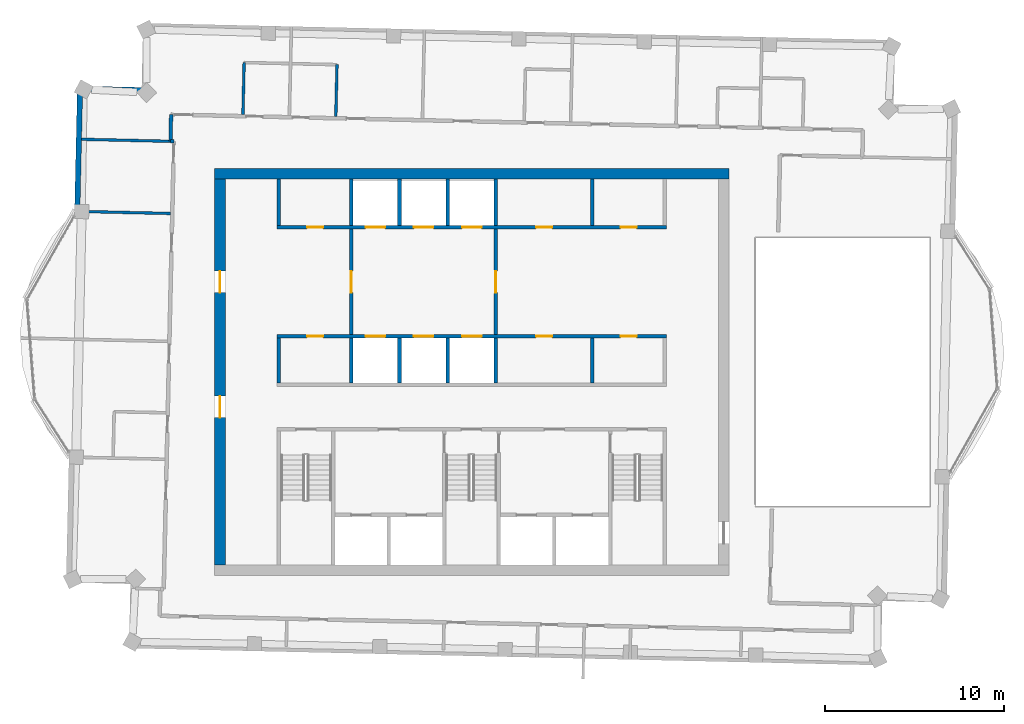
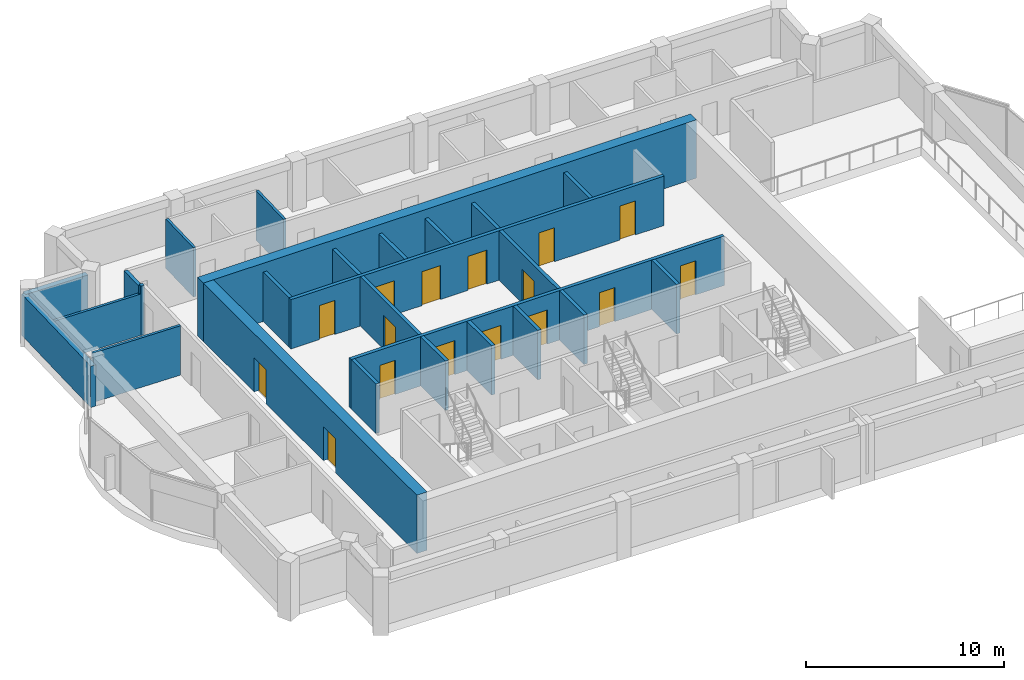
# One storey, part 8 of 12: 26 walls, 16 doors, 16 openings.
"""IFC4 building model written with IfcOpenShell, lengths in metres."""

import ifcopenshell
import ifcopenshell.guid

model = None  # the IFC model being written
_history = None  # IfcOwnerHistory: only IFC2X3 demands one
_inside = {}  # id of a spatial element -> (the spatial element, [elements in it])
_under = {}  # id of a project, library or spatial element -> (it, [spatial elements below it])
_declared = {}  # id of a project -> (the project, [libraries it declares])
_typed = {}  # id of a type object -> (the type object, [elements of that type])
_made_of = {}  # id of a material, layer set ... -> (it, [elements and type objects made of it])


def new_model(schema):
    """Start an empty IFC model of exactly this schema.

    Asked for "IFC4X3", IfcOpenShell would pick the latest addendum, in which some entities
    have other attributes; the version numbers below select the first issue.
    IFC2X3 requires an IfcOwnerHistory on every rooted entity: one is made here for all.
    """
    global model, _history
    if schema == "IFC4X3":
        model = ifcopenshell.file(schema_version=(4, 3, 0, 0))
    else:
        model = ifcopenshell.file(schema=schema)
    _inside.clear()
    _under.clear()
    _declared.clear()
    _typed.clear()
    _made_of.clear()
    _history = None
    if model.schema == "IFC2X3":
        org = make("IfcOrganization", Name="unknown")
        user = make(
            "IfcPersonAndOrganization",
            ThePerson=make("IfcPerson", FamilyName="unknown"),
            TheOrganization=org,
        )
        app = make(
            "IfcApplication",
            ApplicationDeveloper=org,
            Version="unknown",
            ApplicationFullName="unknown",
            ApplicationIdentifier="unknown",
        )
        _history = make(
            "IfcOwnerHistory",
            OwningUser=user,
            OwningApplication=app,
            ChangeAction="ADDED",
            CreationDate=0,
        )
    return model


def make(cls, **values):
    """One entity of the class cls with the attributes given. An attribute that is None is left unset."""
    return model.create_entity(
        cls, **{name: value for name, value in values.items() if value is not None}
    )


def rooted(cls, **values):
    """An entity with a GlobalId (a new one), such as an element, a storey or a relation."""
    return make(cls, GlobalId=ifcopenshell.guid.new(), OwnerHistory=_history, **values)


def si_unit(unit_type, name, prefix=None):
    """IfcSIUnit, for example si_unit("LENGTHUNIT", "METRE", prefix="MILLI")."""
    return make("IfcSIUnit", UnitType=unit_type, Prefix=prefix, Name=name)


def assignment(units):
    """IfcUnitAssignment: the units of a project."""
    return None if units is None else make("IfcUnitAssignment", Units=units)


def point(xyz):
    """IfcCartesianPoint."""
    return None if xyz is None else make("IfcCartesianPoint", Coordinates=xyz)


def direction(xyz):
    """IfcDirection."""
    return None if xyz is None else make("IfcDirection", DirectionRatios=xyz)


def frame(location, z_axis=None, x_axis=None):
    """IfcAxis2Placement3D, a coordinate frame: its origin and axes. An axis left out is left unset."""
    return make(
        "IfcAxis2Placement3D",
        Location=point(location),
        Axis=direction(z_axis),
        RefDirection=direction(x_axis),
    )


def frame_2d(location, x_axis=None):
    """IfcAxis2Placement2D, a coordinate frame in the plane: its origin and x axis."""
    return make(
        "IfcAxis2Placement2D", Location=point(location), RefDirection=direction(x_axis)
    )


def origin():
    """The frame at (0, 0, 0) with its axes left unset."""
    return frame((0.0, 0.0, 0.0))


def place(relative_to, where):
    """IfcLocalPlacement: puts the frame where relative to a parent placement (None: the world)."""
    return make(
        "IfcLocalPlacement", PlacementRelTo=relative_to, RelativePlacement=where
    )


def context(
    kind, dimensions, precision=None, world=None, true_north=None, identifier=None
):
    """IfcGeometricRepresentationContext, for example the 3D "Model" context."""
    return make(
        "IfcGeometricRepresentationContext",
        ContextIdentifier=identifier,
        ContextType=kind,
        CoordinateSpaceDimension=dimensions,
        Precision=precision,
        WorldCoordinateSystem=world,
        TrueNorth=true_north,
    )


def subcontext(parent, identifier, kind, view, scale=None):
    """IfcGeometricRepresentationSubContext, for example "Body" below "Model"."""
    return make(
        "IfcGeometricRepresentationSubContext",
        ContextIdentifier=identifier,
        ContextType=kind,
        ParentContext=parent,
        TargetScale=scale,
        TargetView=view,
    )


def project(units=None, contexts=None):
    """IfcProject with its units and contexts."""
    return rooted(
        "IfcProject",
        Name="project",
        RepresentationContexts=contexts,
        UnitsInContext=assignment(units),
    )


def spatial(cls, under=None, at=None, **own):
    """A site, building, storey or space (cls), placed at a placement, below another one or the project."""
    s = rooted(cls, ObjectPlacement=at, **own)
    if under is not None:
        _under.setdefault(under.id(), (under, []))[1].append(s)
    return s


def profile(cls, at=None, kind="AREA", **sizes):
    """A parametric profile (cls). Its sizes go by their IFC names, for example OverallWidth=200.0."""
    return make(cls, ProfileType=kind, Position=at, **sizes)


def rectangle(**sizes):
    """IfcRectangleProfileDef."""
    return profile("IfcRectangleProfileDef", **sizes)


def extrude(swept, where, along, depth):
    """IfcExtrudedAreaSolid: the profile swept, set in the frame where, extruded along a direction by depth."""
    return make(
        "IfcExtrudedAreaSolid",
        SweptArea=swept,
        Position=where,
        ExtrudedDirection=direction(along),
        Depth=depth,
    )


def shape(context_of_items, identifier, shape_type, items):
    """IfcShapeRepresentation: the items that make up one representation, for example the "Body"."""
    return make(
        "IfcShapeRepresentation",
        ContextOfItems=context_of_items,
        RepresentationIdentifier=identifier,
        RepresentationType=shape_type,
        Items=items,
    )


def material(Name=None, Category=None):
    """IfcMaterial."""
    return make("IfcMaterial", Name=Name, Category=Category)


def layer(
    of_material, thickness, ventilated=None, Name=None, Category=None, Priority=None
):
    """IfcMaterialLayer: one layer of a wall or slab, of a material (None: an air gap)."""
    return make(
        "IfcMaterialLayer",
        Material=of_material,
        LayerThickness=thickness,
        IsVentilated=ventilated,
        Name=Name,
        Category=Category,
        Priority=Priority,
    )


def layer_set(layers, Name=None):
    """IfcMaterialLayerSet."""
    return make("IfcMaterialLayerSet", MaterialLayers=layers, LayerSetName=Name)


def made_of(thing, what):
    """Note that an element or type object is made of a material, layer set ...; save() writes the relation."""
    if what is not None:
        _made_of.setdefault(what.id(), (what, []))[1].append(thing)
    return thing


def type_object(cls, material=None, **own):
    """A type object (cls), such as IfcWallType, which elements share."""
    return made_of(rooted(cls, **own), material)


def element(
    cls,
    number,
    at=None,
    inside=None,
    cuts=None,
    type_object=None,
    material=None,
    context=None,
    identifier="Body",
    shape_type=None,
    held_by="IfcProductDefinitionShape",
    body=None,
    shapes=None,
    **own,
):
    """One element of the class cls, such as IfcWall. Its Tag is "e" and its number.

    at: its placement. inside: the storey or other place that contains it. cuts: it is an
    opening in that element (IfcRelVoidsElement). A single representation is given by context,
    identifier, shape_type and body (its items); several are given by shapes. held_by: the class
    of the entity that holds the representations. save() writes the other relations.
    """
    e = rooted(cls, Tag="e%d" % number, ObjectPlacement=at, **own)
    if body is not None:
        shapes = [shape(context, identifier, shape_type, body)]
    if shapes is not None:
        e.Representation = make(held_by, Representations=shapes)
    if inside is not None:
        _inside.setdefault(inside.id(), (inside, []))[1].append(e)
    if cuts is not None:
        rooted(
            "IfcRelVoidsElement", RelatingBuildingElement=cuts, RelatedOpeningElement=e
        )
    if type_object is not None:
        _typed.setdefault(type_object.id(), (type_object, []))[1].append(e)
    return made_of(e, material)


def fill(opening, filler):
    """IfcRelFillsElement: the door or window that sits in an opening."""
    return rooted(
        "IfcRelFillsElement",
        RelatingOpeningElement=opening,
        RelatedBuildingElement=filler,
    )


def aggregate(whole, parts):
    """IfcRelAggregates: a whole, such as a stair, and the parts it consists of."""
    return rooted("IfcRelAggregates", RelatingObject=whole, RelatedObjects=parts)


def save(model, path):
    """Write the relations noted so far, then the file.

    IfcRelAggregates (storeys below a building ...), IfcRelContainedInSpatialStructure (elements
    in a storey), IfcRelDefinesByType, IfcRelAssociatesMaterial and IfcRelDeclares: one each for
    every whole, place, type object, material and project.
    """
    for whole, parts in _under.values():
        aggregate(whole, parts)
    for where, things in _inside.values():
        rooted(
            "IfcRelContainedInSpatialStructure",
            RelatedElements=things,
            RelatingStructure=where,
        )
    for kind, things in _typed.values():
        rooted("IfcRelDefinesByType", RelatedObjects=things, RelatingType=kind)
    for what, things in _made_of.values():
        rooted("IfcRelAssociatesMaterial", RelatedObjects=things, RelatingMaterial=what)
    for by, libraries in _declared.values():
        rooted("IfcRelDeclares", RelatingContext=by, RelatedDefinitions=libraries)
    model.write(path)


model = new_model("IFC4")

# Units and contexts
model_context = context("Model", 3, precision=1e-05, world=origin(), true_north=direction((0.0, 1.0)))
body_context = subcontext(model_context, "Body", "Model", "MODEL_VIEW")
ifc_project = project(units=[si_unit("LENGTHUNIT", "METRE"), si_unit("AREAUNIT", "SQUARE_METRE"), si_unit("VOLUMEUNIT", "CUBIC_METRE"), si_unit("PLANEANGLEUNIT", "RADIAN"), si_unit("MASSUNIT", "GRAM", prefix="KILO")], contexts=[model_context])

# Site, building, storey
site_placement = place(None, origin())
site = spatial("IfcSite", under=ifc_project, at=site_placement, CompositionType="ELEMENT")
building_placement = place(site_placement, origin())
building = spatial("IfcBuilding", under=site, at=building_placement, Name="Mangrove Gate Tower", CompositionType="ELEMENT")
storey_placement = place(building_placement, frame((0.0, 0.0, 350.699951171875)))
storey = spatial("IfcBuildingStorey", under=building, at=storey_placement, Name="L89", CompositionType="ELEMENT", Elevation=350.699951171875)

# Wall, opening, door
ifc_material_1 = material(Name="Concrete C32/40", Category="concrete")
ifc_layer_1 = layer(ifc_material_1, 0.199951171875)
ifc_layer_set_1 = layer_set([ifc_layer_1], Name="Core lobby wall 200 C32/40")
wall_type_1 = type_object("IfcWallType", Name="Core lobby wall 200 C32/40", PredefinedType="STANDARD", material=ifc_layer_set_1)
wall_1_placement = place(storey_placement, frame((-6.75, 2.10009765625, 0.0), z_axis=(0.0, 0.0, 1.0), x_axis=(0.0, 1.0, 0.0)))
wall_1 = element("IfcWall", 1, at=wall_1_placement, inside=storey, type_object=wall_type_1, Name="WALL-L89-CORE-33", PredefinedType="STANDARD", context=body_context, shape_type="SweptSolid", body=[
    extrude(rectangle(XDim=5.89990234375, YDim=0.199951171875, at=frame_2d((2.949951171875, 0.0))), origin(), (0.0, 0.0, 1.0), 3.050048828125),
])
opening_1_placement = place(wall_1_placement, frame((2.35009765625, 0.0, 0.0)))
opening_1 = element("IfcOpeningElement", 2, at=opening_1_placement, cuts=wall_1, Name="Opening FL12", PredefinedType="OPENING", context=body_context, shape_type="SweptSolid", body=[
    extrude(rectangle(XDim=1.199951171875, YDim=2.10009765625, at=frame_2d((0.60009765625, 1.050048828125))), frame((0.0, 0.10986328125, 0.0), z_axis=(0.0, -1.0, 0.0), x_axis=(1.0, 0.0, 0.0)), (0.0, 0.0, 1.0), 0.219970703125),
])
ifc_material_2 = material(Name="Fire-rated steel door set", Category="steel")
door_type_1 = type_object("IfcDoorType", Name="Lobby door FD60 1200x2100", OperationType="SINGLE_SWING_LEFT", PredefinedType="DOOR", material=ifc_material_2)
door_1_placement = place(opening_1_placement, origin())
door_1 = element("IfcDoor", 3, at=door_1_placement, inside=storey, type_object=door_type_1, Name="Lobby door lift lobby partition", OperationType="SINGLE_SWING_LEFT", OverallHeight=2.10009765625, OverallWidth=1.199951171875, PredefinedType="DOOR", context=body_context, shape_type="SweptSolid", body=[
    extrude(rectangle(XDim=1.199951171875, YDim=2.10009765625, at=frame_2d((0.60009765625, 1.050048828125))), frame((0.0, 0.02490234375, 0.0), z_axis=(0.0, -1.0, 0.0), x_axis=(1.0, 0.0, 0.0)), (0.0, 0.0, 1.0), 0.050048828125),
])
fill(opening_1, door_1)

wall_2_placement = place(storey_placement, frame((1.35009765625, 2.10009765625, 0.0), z_axis=(0.0, 0.0, 1.0), x_axis=(0.0, 1.0, 0.0)))
wall_2 = element("IfcWall", 4, at=wall_2_placement, inside=storey, type_object=wall_type_1, Name="WALL-L89-CORE-34", PredefinedType="STANDARD", context=body_context, shape_type="SweptSolid", body=[
    extrude(rectangle(XDim=5.89990234375, YDim=0.199951171875, at=frame_2d((2.949951171875, 0.0))), origin(), (0.0, 0.0, 1.0), 3.050048828125),
])
opening_2_placement = place(wall_2_placement, frame((2.35009765625, 0.0, 0.0)))
opening_2 = element("IfcOpeningElement", 5, at=opening_2_placement, cuts=wall_2, Name="Opening FL12", PredefinedType="OPENING", context=body_context, shape_type="SweptSolid", body=[
    extrude(rectangle(XDim=1.199951171875, YDim=2.10009765625, at=frame_2d((0.60009765625, 1.050048828125))), frame((0.0, 0.10986328125, 0.0), z_axis=(0.0, -1.0, 0.0), x_axis=(1.0, 0.0, 0.0)), (0.0, 0.0, 1.0), 0.219970703125),
])
door_2_placement = place(opening_2_placement, origin())
door_2 = element("IfcDoor", 6, at=door_2_placement, inside=storey, type_object=door_type_1, Name="Lobby door lift lobby partition", OperationType="SINGLE_SWING_LEFT", OverallHeight=2.10009765625, OverallWidth=1.199951171875, PredefinedType="DOOR", context=body_context, shape_type="SweptSolid", body=[
    extrude(rectangle(XDim=1.199951171875, YDim=2.10009765625, at=frame_2d((0.60009765625, 1.050048828125))), frame((0.0, 0.02490234375, 0.0), z_axis=(0.0, -1.0, 0.0), x_axis=(1.0, 0.0, 0.0)), (0.0, 0.0, 1.0), 0.050048828125),
])
fill(opening_2, door_2)

# Walls
ifc_material_3 = material(Name="Concrete C32/40", Category="concrete")
ifc_layer_2 = layer(ifc_material_3, 0.199951171875)
ifc_layer_set_2 = layer_set([ifc_layer_2], Name="Core room wall 200 C32/40")
wall_type_2 = type_object("IfcWallType", Name="Core room wall 200 C32/40", PredefinedType="STANDARD", material=ifc_layer_set_2)
for number, where, z_axis, x_axis, name in (
    (7, (-10.800048828125, -0.60009765625, 0.0), (0.0, 0.0, 1.0), (0.0, 1.0, 0.0), "WALL-L89-CORE-19"),
    (8, (6.75, -0.60009765625, 0.0), (0.0, 0.0, 1.0), (0.0, 1.0, 0.0), "WALL-L89-CORE-24"),
):
    element("IfcWall", number, at=place(storey_placement, frame(where, z_axis=z_axis, x_axis=x_axis)), inside=storey, type_object=wall_type_2, Name=name, PredefinedType="STANDARD", context=body_context, shape_type="SweptSolid", body=[
        extrude(rectangle(XDim=2.5, YDim=0.199951171875, at=frame_2d((1.25, 0.0))), origin(), (0.0, 0.0, 1.0), 3.050048828125),
    ])
for number, where, z_axis, x_axis, name in (
    (9, (-10.800048828125, 8.199951171875, 0.0), (0.0, 0.0, 1.0), (0.0, 1.0, 0.0), "WALL-L89-CORE-26"),
    (10, (6.75, 8.199951171875, 0.0), (0.0, 0.0, 1.0), (0.0, 1.0, 0.0), "WALL-L89-CORE-31"),
):
    element("IfcWall", number, at=place(storey_placement, frame(where, z_axis=z_axis, x_axis=x_axis)), inside=storey, type_object=wall_type_2, Name=name, PredefinedType="STANDARD", context=body_context, shape_type="SweptSolid", body=[
        extrude(rectangle(XDim=2.60009765625, YDim=0.199951171875, at=frame_2d((1.300048828125, 0.0))), origin(), (0.0, 0.0, 1.0), 3.050048828125),
    ])

# Wall, openings, doors
ifc_material_4 = material(Name="Concrete C50/60", Category="concrete")
ifc_layer_3 = layer(ifc_material_4, 0.199951171875)
ifc_layer_set_3 = layer_set([ifc_layer_3], Name="Core shaft wall 200 C50/60")
wall_type_3 = type_object("IfcWallType", Name="Core shaft wall 200 C50/60", PredefinedType="SHEAR", material=ifc_layer_set_3)
wall_3_placement = place(storey_placement, frame((-10.89990234375, 2.0, 0.0), z_axis=(0.0, 0.0, 1.0), x_axis=(1.0, 0.0, 0.0)))
wall_3 = element("IfcWall", 11, at=wall_3_placement, inside=storey, type_object=wall_type_3, Name="WALL-L89-CORE-7", PredefinedType="SHEAR", context=body_context, shape_type="SweptSolid", body=[
    extrude(rectangle(XDim=21.7998046875, YDim=0.199951171875, at=frame_2d((10.89990234375, 0.0))), origin(), (0.0, 0.0, 1.0), 3.050048828125),
])
opening_3_placement = place(wall_3_placement, frame((4.949951171875, 0.0, 0.0)))
opening_3 = element("IfcOpeningElement", 12, at=opening_3_placement, cuts=wall_3, Name="Opening LD", PredefinedType="OPENING", context=body_context, shape_type="SweptSolid", body=[
    extrude(rectangle(XDim=1.10009765625, YDim=2.10009765625, at=frame_2d((0.550048828125, 1.050048828125))), frame((0.0, 0.10986328125, 0.0), z_axis=(0.0, -1.0, 0.0), x_axis=(1.0, 0.0, 0.0)), (0.0, 0.0, 1.0), 0.219970703125),
])
opening_4_placement = place(wall_3_placement, frame((7.64990234375, 0.0, 0.0)))
opening_4 = element("IfcOpeningElement", 13, at=opening_4_placement, cuts=wall_3, Name="Opening LD", PredefinedType="OPENING", context=body_context, shape_type="SweptSolid", body=[
    extrude(rectangle(XDim=1.10009765625, YDim=2.10009765625, at=frame_2d((0.550048828125, 1.050048828125))), frame((0.0, 0.10986328125, 0.0), z_axis=(0.0, -1.0, 0.0), x_axis=(1.0, 0.0, 0.0)), (0.0, 0.0, 1.0), 0.219970703125),
])
opening_5_placement = place(wall_3_placement, frame((10.35009765625, 0.0, 0.0)))
opening_5 = element("IfcOpeningElement", 14, at=opening_5_placement, cuts=wall_3, Name="Opening LD", PredefinedType="OPENING", context=body_context, shape_type="SweptSolid", body=[
    extrude(rectangle(XDim=1.10009765625, YDim=2.10009765625, at=frame_2d((0.550048828125, 1.050048828125))), frame((0.0, 0.10986328125, 0.0), z_axis=(0.0, -1.0, 0.0), x_axis=(1.0, 0.0, 0.0)), (0.0, 0.0, 1.0), 0.219970703125),
])
opening_6_placement = place(wall_3_placement, frame((1.675048828125, 0.0, 0.0)))
opening_6 = element("IfcOpeningElement", 15, at=opening_6_placement, cuts=wall_3, Name="Opening KD", PredefinedType="OPENING", context=body_context, shape_type="SweptSolid", body=[
    extrude(rectangle(XDim=0.89990234375, YDim=2.10009765625, at=frame_2d((0.449951171875, 1.050048828125))), frame((0.0, 0.10986328125, 0.0), z_axis=(0.0, -1.0, 0.0), x_axis=(1.0, 0.0, 0.0)), (0.0, 0.0, 1.0), 0.219970703125),
])
opening_7_placement = place(wall_3_placement, frame((14.5, 0.0, 0.0)))
opening_7 = element("IfcOpeningElement", 16, at=opening_7_placement, cuts=wall_3, Name="Opening KD", PredefinedType="OPENING", context=body_context, shape_type="SweptSolid", body=[
    extrude(rectangle(XDim=0.89990234375, YDim=2.10009765625, at=frame_2d((0.449951171875, 1.050048828125))), frame((0.0, 0.10986328125, 0.0), z_axis=(0.0, -1.0, 0.0), x_axis=(1.0, 0.0, 0.0)), (0.0, 0.0, 1.0), 0.219970703125),
])
opening_8_placement = place(wall_3_placement, frame((19.22509765625, 0.0, 0.0)))
opening_8 = element("IfcOpeningElement", 17, at=opening_8_placement, cuts=wall_3, Name="Opening RD", PredefinedType="OPENING", context=body_context, shape_type="SweptSolid", body=[
    extrude(rectangle(XDim=0.89990234375, YDim=2.10009765625, at=frame_2d((0.449951171875, 1.050048828125))), frame((0.0, 0.10986328125, 0.0), z_axis=(0.0, -1.0, 0.0), x_axis=(1.0, 0.0, 0.0)), (0.0, 0.0, 1.0), 0.219970703125),
])
ifc_material_5 = material(Name="Fire-rated steel door set", Category="steel")
door_type_2 = type_object("IfcDoorType", Name="Core room door FD30S 900x2100", OperationType="SINGLE_SWING_RIGHT", PredefinedType="DOOR", material=ifc_material_5)
door_3_placement = place(opening_6_placement, origin())
door_3 = element("IfcDoor", 18, at=door_3_placement, inside=storey, type_object=door_type_2, Name="Core room door Cleaner's store", OperationType="SINGLE_SWING_RIGHT", OverallHeight=2.10009765625, OverallWidth=0.89990234375, PredefinedType="DOOR", context=body_context, shape_type="SweptSolid", body=[
    extrude(rectangle(XDim=0.89990234375, YDim=2.10009765625, at=frame_2d((0.449951171875, 1.050048828125))), frame((0.0, 0.02490234375, 0.0), z_axis=(0.0, -1.0, 0.0), x_axis=(1.0, 0.0, 0.0)), (0.0, 0.0, 1.0), 0.050048828125),
])
fill(opening_6, door_3)
door_4_placement = place(opening_7_placement, origin())
door_4 = element("IfcDoor", 19, at=door_4_placement, inside=storey, type_object=door_type_2, Name="Core room door Refuse store", OperationType="SINGLE_SWING_RIGHT", OverallHeight=2.10009765625, OverallWidth=0.89990234375, PredefinedType="DOOR", context=body_context, shape_type="SweptSolid", body=[
    extrude(rectangle(XDim=0.89990234375, YDim=2.10009765625, at=frame_2d((0.449951171875, 1.050048828125))), frame((0.0, 0.02490234375, 0.0), z_axis=(0.0, -1.0, 0.0), x_axis=(1.0, 0.0, 0.0)), (0.0, 0.0, 1.0), 0.050048828125),
])
fill(opening_7, door_4)
ifc_material_6 = material(Name="Stainless steel 316", Category="steel")
door_type_3 = type_object("IfcDoorType", Name="Lift landing door 1100x2100", OperationType="SLIDING_TO_LEFT", PredefinedType="DOOR", material=ifc_material_6)
door_5_placement = place(opening_3_placement, origin())
door_5 = element("IfcDoor", 20, at=door_5_placement, inside=storey, type_object=door_type_3, Name="Landing door LD H01", OperationType="SLIDING_TO_LEFT", OverallHeight=2.10009765625, OverallWidth=1.10009765625, PredefinedType="DOOR", context=body_context, shape_type="SweptSolid", body=[
    extrude(rectangle(XDim=1.10009765625, YDim=2.10009765625, at=frame_2d((0.550048828125, 1.050048828125))), frame((0.0, 0.02490234375, 0.0), z_axis=(0.0, -1.0, 0.0), x_axis=(1.0, 0.0, 0.0)), (0.0, 0.0, 1.0), 0.050048828125),
])
fill(opening_3, door_5)
door_6_placement = place(opening_4_placement, origin())
door_6 = element("IfcDoor", 21, at=door_6_placement, inside=storey, type_object=door_type_3, Name="Landing door LD H02", OperationType="SLIDING_TO_LEFT", OverallHeight=2.10009765625, OverallWidth=1.10009765625, PredefinedType="DOOR", context=body_context, shape_type="SweptSolid", body=[
    extrude(rectangle(XDim=1.10009765625, YDim=2.10009765625, at=frame_2d((0.550048828125, 1.050048828125))), frame((0.0, 0.02490234375, 0.0), z_axis=(0.0, -1.0, 0.0), x_axis=(1.0, 0.0, 0.0)), (0.0, 0.0, 1.0), 0.050048828125),
])
fill(opening_4, door_6)
door_7_placement = place(opening_5_placement, origin())
door_7 = element("IfcDoor", 22, at=door_7_placement, inside=storey, type_object=door_type_3, Name="Landing door LD H03", OperationType="SLIDING_TO_LEFT", OverallHeight=2.10009765625, OverallWidth=1.10009765625, PredefinedType="DOOR", context=body_context, shape_type="SweptSolid", body=[
    extrude(rectangle(XDim=1.10009765625, YDim=2.10009765625, at=frame_2d((0.550048828125, 1.050048828125))), frame((0.0, 0.02490234375, 0.0), z_axis=(0.0, -1.0, 0.0), x_axis=(1.0, 0.0, 0.0)), (0.0, 0.0, 1.0), 0.050048828125),
])
fill(opening_5, door_7)
ifc_material_7 = material(Name="Fire-rated steel door set", Category="steel")
door_type_4 = type_object("IfcDoorType", Name="Riser door FD30S 900x2100", OperationType="SINGLE_SWING_LEFT", PredefinedType="DOOR", material=ifc_material_7)
door_8_placement = place(opening_8_placement, origin())
door_8 = element("IfcDoor", 23, at=door_8_placement, inside=storey, type_object=door_type_4, Name="Riser door Electrical room", OperationType="SINGLE_SWING_LEFT", OverallHeight=2.10009765625, OverallWidth=0.89990234375, PredefinedType="DOOR", context=body_context, shape_type="SweptSolid", body=[
    extrude(rectangle(XDim=0.89990234375, YDim=2.10009765625, at=frame_2d((0.449951171875, 1.050048828125))), frame((0.0, 0.02490234375, 0.0), z_axis=(0.0, -1.0, 0.0), x_axis=(1.0, 0.0, 0.0)), (0.0, 0.0, 1.0), 0.050048828125),
])
fill(opening_8, door_8)

wall_4_placement = place(storey_placement, frame((-10.89990234375, 8.10009765625, 0.0), z_axis=(0.0, 0.0, 1.0), x_axis=(1.0, 0.0, 0.0)))
wall_4 = element("IfcWall", 24, at=wall_4_placement, inside=storey, type_object=wall_type_3, Name="WALL-L89-CORE-8", PredefinedType="SHEAR", context=body_context, shape_type="SweptSolid", body=[
    extrude(rectangle(XDim=21.7998046875, YDim=0.199951171875, at=frame_2d((10.89990234375, 0.0))), origin(), (0.0, 0.0, 1.0), 3.050048828125),
])
opening_9_placement = place(wall_4_placement, frame((4.949951171875, 0.0, 0.0)))
opening_9 = element("IfcOpeningElement", 25, at=opening_9_placement, cuts=wall_4, Name="Opening LD", PredefinedType="OPENING", context=body_context, shape_type="SweptSolid", body=[
    extrude(rectangle(XDim=1.10009765625, YDim=2.10009765625, at=frame_2d((0.550048828125, 1.050048828125))), frame((0.0, 0.10986328125, 0.0), z_axis=(0.0, -1.0, 0.0), x_axis=(1.0, 0.0, 0.0)), (0.0, 0.0, 1.0), 0.219970703125),
])
opening_10_placement = place(wall_4_placement, frame((7.64990234375, 0.0, 0.0)))
opening_10 = element("IfcOpeningElement", 26, at=opening_10_placement, cuts=wall_4, Name="Opening LD", PredefinedType="OPENING", context=body_context, shape_type="SweptSolid", body=[
    extrude(rectangle(XDim=1.10009765625, YDim=2.10009765625, at=frame_2d((0.550048828125, 1.050048828125))), frame((0.0, 0.10986328125, 0.0), z_axis=(0.0, -1.0, 0.0), x_axis=(1.0, 0.0, 0.0)), (0.0, 0.0, 1.0), 0.219970703125),
])
opening_11_placement = place(wall_4_placement, frame((10.35009765625, 0.0, 0.0)))
opening_11 = element("IfcOpeningElement", 27, at=opening_11_placement, cuts=wall_4, Name="Opening LD", PredefinedType="OPENING", context=body_context, shape_type="SweptSolid", body=[
    extrude(rectangle(XDim=1.10009765625, YDim=2.10009765625, at=frame_2d((0.550048828125, 1.050048828125))), frame((0.0, 0.10986328125, 0.0), z_axis=(0.0, -1.0, 0.0), x_axis=(1.0, 0.0, 0.0)), (0.0, 0.0, 1.0), 0.219970703125),
])
opening_12_placement = place(wall_4_placement, frame((1.675048828125, 0.0, 0.0)))
opening_12 = element("IfcOpeningElement", 28, at=opening_12_placement, cuts=wall_4, Name="Opening KD", PredefinedType="OPENING", context=body_context, shape_type="SweptSolid", body=[
    extrude(rectangle(XDim=0.89990234375, YDim=2.10009765625, at=frame_2d((0.449951171875, 1.050048828125))), frame((0.0, 0.10986328125, 0.0), z_axis=(0.0, -1.0, 0.0), x_axis=(1.0, 0.0, 0.0)), (0.0, 0.0, 1.0), 0.219970703125),
])
opening_13_placement = place(wall_4_placement, frame((14.5, 0.0, 0.0)))
opening_13 = element("IfcOpeningElement", 29, at=opening_13_placement, cuts=wall_4, Name="Opening RD", PredefinedType="OPENING", context=body_context, shape_type="SweptSolid", body=[
    extrude(rectangle(XDim=0.89990234375, YDim=2.10009765625, at=frame_2d((0.449951171875, 1.050048828125))), frame((0.0, 0.10986328125, 0.0), z_axis=(0.0, -1.0, 0.0), x_axis=(1.0, 0.0, 0.0)), (0.0, 0.0, 1.0), 0.219970703125),
])
opening_14_placement = place(wall_4_placement, frame((19.22509765625, 0.0, 0.0)))
opening_14 = element("IfcOpeningElement", 30, at=opening_14_placement, cuts=wall_4, Name="Opening RD", PredefinedType="OPENING", context=body_context, shape_type="SweptSolid", body=[
    extrude(rectangle(XDim=0.89990234375, YDim=2.10009765625, at=frame_2d((0.449951171875, 1.050048828125))), frame((0.0, 0.10986328125, 0.0), z_axis=(0.0, -1.0, 0.0), x_axis=(1.0, 0.0, 0.0)), (0.0, 0.0, 1.0), 0.219970703125),
])
door_9_placement = place(opening_12_placement, origin())
door_9 = element("IfcDoor", 31, at=door_9_placement, inside=storey, type_object=door_type_2, Name="Core room door Linen store", OperationType="SINGLE_SWING_RIGHT", OverallHeight=2.10009765625, OverallWidth=0.89990234375, PredefinedType="DOOR", context=body_context, shape_type="SweptSolid", body=[
    extrude(rectangle(XDim=0.89990234375, YDim=2.10009765625, at=frame_2d((0.449951171875, 1.050048828125))), frame((0.0, 0.02490234375, 0.0), z_axis=(0.0, -1.0, 0.0), x_axis=(1.0, 0.0, 0.0)), (0.0, 0.0, 1.0), 0.050048828125),
])
fill(opening_12, door_9)
door_10_placement = place(opening_9_placement, origin())
door_10 = element("IfcDoor", 32, at=door_10_placement, inside=storey, type_object=door_type_3, Name="Landing door LD H04", OperationType="SLIDING_TO_LEFT", OverallHeight=2.10009765625, OverallWidth=1.10009765625, PredefinedType="DOOR", context=body_context, shape_type="SweptSolid", body=[
    extrude(rectangle(XDim=1.10009765625, YDim=2.10009765625, at=frame_2d((0.550048828125, 1.050048828125))), frame((0.0, 0.02490234375, 0.0), z_axis=(0.0, -1.0, 0.0), x_axis=(1.0, 0.0, 0.0)), (0.0, 0.0, 1.0), 0.050048828125),
])
fill(opening_9, door_10)
door_11_placement = place(opening_10_placement, origin())
door_11 = element("IfcDoor", 33, at=door_11_placement, inside=storey, type_object=door_type_3, Name="Landing door LD H05", OperationType="SLIDING_TO_LEFT", OverallHeight=2.10009765625, OverallWidth=1.10009765625, PredefinedType="DOOR", context=body_context, shape_type="SweptSolid", body=[
    extrude(rectangle(XDim=1.10009765625, YDim=2.10009765625, at=frame_2d((0.550048828125, 1.050048828125))), frame((0.0, 0.02490234375, 0.0), z_axis=(0.0, -1.0, 0.0), x_axis=(1.0, 0.0, 0.0)), (0.0, 0.0, 1.0), 0.050048828125),
])
fill(opening_10, door_11)
door_12_placement = place(opening_11_placement, origin())
door_12 = element("IfcDoor", 34, at=door_12_placement, inside=storey, type_object=door_type_3, Name="Landing door LD H06", OperationType="SLIDING_TO_LEFT", OverallHeight=2.10009765625, OverallWidth=1.10009765625, PredefinedType="DOOR", context=body_context, shape_type="SweptSolid", body=[
    extrude(rectangle(XDim=1.10009765625, YDim=2.10009765625, at=frame_2d((0.550048828125, 1.050048828125))), frame((0.0, 0.02490234375, 0.0), z_axis=(0.0, -1.0, 0.0), x_axis=(1.0, 0.0, 0.0)), (0.0, 0.0, 1.0), 0.050048828125),
])
fill(opening_11, door_12)
door_13_placement = place(opening_13_placement, origin())
door_13 = element("IfcDoor", 35, at=door_13_placement, inside=storey, type_object=door_type_4, Name="Riser door Switch room", OperationType="SINGLE_SWING_LEFT", OverallHeight=2.10009765625, OverallWidth=0.89990234375, PredefinedType="DOOR", context=body_context, shape_type="SweptSolid", body=[
    extrude(rectangle(XDim=0.89990234375, YDim=2.10009765625, at=frame_2d((0.449951171875, 1.050048828125))), frame((0.0, 0.02490234375, 0.0), z_axis=(0.0, -1.0, 0.0), x_axis=(1.0, 0.0, 0.0)), (0.0, 0.0, 1.0), 0.050048828125),
])
fill(opening_13, door_13)
door_14_placement = place(opening_14_placement, origin())
door_14 = element("IfcDoor", 36, at=door_14_placement, inside=storey, type_object=door_type_4, Name="Riser door Comms room", OperationType="SINGLE_SWING_LEFT", OverallHeight=2.10009765625, OverallWidth=0.89990234375, PredefinedType="DOOR", context=body_context, shape_type="SweptSolid", body=[
    extrude(rectangle(XDim=0.89990234375, YDim=2.10009765625, at=frame_2d((0.449951171875, 1.050048828125))), frame((0.0, 0.02490234375, 0.0), z_axis=(0.0, -1.0, 0.0), x_axis=(1.0, 0.0, 0.0)), (0.0, 0.0, 1.0), 0.050048828125),
])
fill(opening_14, door_14)

# Walls
for number, where, z_axis, x_axis, name in (
    (37, (-6.75, -0.60009765625, 0.0), (0.0, 0.0, 1.0), (0.0, 1.0, 0.0), "WALL-L89-CORE-20"),
    (38, (-4.050048828125, -0.60009765625, 0.0), (0.0, 0.0, 1.0), (0.0, 1.0, 0.0), "WALL-L89-CORE-21"),
    (39, (-1.35009765625, -0.60009765625, 0.0), (0.0, 0.0, 1.0), (0.0, 1.0, 0.0), "WALL-L89-CORE-22"),
    (40, (1.35009765625, -0.60009765625, 0.0), (0.0, 0.0, 1.0), (0.0, 1.0, 0.0), "WALL-L89-CORE-23"),
):
    element("IfcWall", number, at=place(storey_placement, frame(where, z_axis=z_axis, x_axis=x_axis)), inside=storey, type_object=wall_type_3, Name=name, PredefinedType="SHEAR", context=body_context, shape_type="SweptSolid", body=[
        extrude(rectangle(XDim=2.5, YDim=0.199951171875, at=frame_2d((1.25, 0.0))), origin(), (0.0, 0.0, 1.0), 3.050048828125),
    ])
for number, where, z_axis, x_axis, name in (
    (41, (-6.75, 8.199951171875, 0.0), (0.0, 0.0, 1.0), (0.0, 1.0, 0.0), "WALL-L89-CORE-27"),
    (42, (-4.050048828125, 8.199951171875, 0.0), (0.0, 0.0, 1.0), (0.0, 1.0, 0.0), "WALL-L89-CORE-28"),
    (43, (-1.35009765625, 8.199951171875, 0.0), (0.0, 0.0, 1.0), (0.0, 1.0, 0.0), "WALL-L89-CORE-29"),
    (44, (1.35009765625, 8.199951171875, 0.0), (0.0, 0.0, 1.0), (0.0, 1.0, 0.0), "WALL-L89-CORE-30"),
):
    element("IfcWall", number, at=place(storey_placement, frame(where, z_axis=z_axis, x_axis=x_axis)), inside=storey, type_object=wall_type_3, Name=name, PredefinedType="SHEAR", context=body_context, shape_type="SweptSolid", body=[
        extrude(rectangle(XDim=2.60009765625, YDim=0.199951171875, at=frame_2d((1.300048828125, 0.0))), origin(), (0.0, 0.0, 1.0), 3.050048828125),
    ])
ifc_material_8 = material(Name="Concrete C50/60", Category="concrete")
ifc_layer_4 = layer(ifc_material_8, 0.60009765625)
ifc_layer_set_4 = layer_set([ifc_layer_4], Name="Core wall 600 C50/60")
wall_type_4 = type_object("IfcWallType", Name="Core wall 600 C50/60", PredefinedType="SHEAR", material=ifc_layer_set_4)
wall_5_placement = place(storey_placement, frame((-14.39990234375, 11.10009765625, 0.0), z_axis=(0.0, 0.0, 1.0), x_axis=(1.0, 0.0, 0.0)))
element("IfcWall", 45, at=wall_5_placement, inside=storey, type_object=wall_type_4, Name="WALL-L89-CORE-2", PredefinedType="SHEAR", context=body_context, shape_type="SweptSolid", body=[
    extrude(rectangle(XDim=28.7998046875, YDim=0.60009765625, at=frame_2d((14.39990234375, 0.0))), origin(), (0.0, 0.0, 1.0), 3.60009765625),
])

# Wall, openings, doors
wall_6_placement = place(storey_placement, frame((-14.10009765625, -10.800048828125, 0.0), z_axis=(0.0, 0.0, 1.0), x_axis=(0.0, 1.0, 0.0)))
wall_6 = element("IfcWall", 46, at=wall_6_placement, inside=storey, type_object=wall_type_4, Name="WALL-L89-CORE-3", PredefinedType="SHEAR", context=body_context, shape_type="SweptSolid", body=[
    extrude(rectangle(XDim=21.60009765625, YDim=0.60009765625, at=frame_2d((10.800048828125, 0.0))), origin(), (0.0, 0.0, 1.0), 3.60009765625),
])
opening_15_placement = place(wall_6_placement, frame((8.25, 0.0, 0.0)))
opening_15 = element("IfcOpeningElement", 47, at=opening_15_placement, cuts=wall_6, Name="Opening CD", PredefinedType="OPENING", context=body_context, shape_type="SweptSolid", body=[
    extrude(rectangle(XDim=1.199951171875, YDim=2.10009765625, at=frame_2d((0.60009765625, 1.050048828125))), frame((0.0, 0.31005859375, 0.0), z_axis=(0.0, -1.0, 0.0), x_axis=(1.0, 0.0, 0.0)), (0.0, 0.0, 1.0), 0.6201171875),
])
opening_16_placement = place(wall_6_placement, frame((15.25, 0.0, 0.0)))
opening_16 = element("IfcOpeningElement", 48, at=opening_16_placement, cuts=wall_6, Name="Opening CD", PredefinedType="OPENING", context=body_context, shape_type="SweptSolid", body=[
    extrude(rectangle(XDim=1.199951171875, YDim=2.10009765625, at=frame_2d((0.60009765625, 1.050048828125))), frame((0.0, 0.31005859375, 0.0), z_axis=(0.0, -1.0, 0.0), x_axis=(1.0, 0.0, 0.0)), (0.0, 0.0, 1.0), 0.6201171875),
])
ifc_material_9 = material(Name="Fire-rated steel door set", Category="steel")
door_type_5 = type_object("IfcDoorType", Name="Core ring door FD60 1200x2100", OperationType="DOUBLE_DOOR_SINGLE_SWING", PredefinedType="DOOR", material=ifc_material_9)
door_15_placement = place(opening_15_placement, origin())
door_15 = element("IfcDoor", 49, at=door_15_placement, inside=storey, type_object=door_type_5, Name="Core ring door W1", OperationType="DOUBLE_DOOR_SINGLE_SWING", OverallHeight=2.10009765625, OverallWidth=1.199951171875, PredefinedType="DOOR", context=body_context, shape_type="SweptSolid", body=[
    extrude(rectangle(XDim=1.199951171875, YDim=2.10009765625, at=frame_2d((0.60009765625, 1.050048828125))), frame((0.0, 0.02490234375, 0.0), z_axis=(0.0, -1.0, 0.0), x_axis=(1.0, 0.0, 0.0)), (0.0, 0.0, 1.0), 0.050048828125),
])
fill(opening_15, door_15)
door_16_placement = place(opening_16_placement, origin())
door_16 = element("IfcDoor", 50, at=door_16_placement, inside=storey, type_object=door_type_5, Name="Core ring door W2", OperationType="DOUBLE_DOOR_SINGLE_SWING", OverallHeight=2.10009765625, OverallWidth=1.199951171875, PredefinedType="DOOR", context=body_context, shape_type="SweptSolid", body=[
    extrude(rectangle(XDim=1.199951171875, YDim=2.10009765625, at=frame_2d((0.60009765625, 1.050048828125))), frame((0.0, 0.02490234375, 0.0), z_axis=(0.0, -1.0, 0.0), x_axis=(1.0, 0.0, 0.0)), (0.0, 0.0, 1.0), 0.050048828125),
])
fill(opening_16, door_16)

# Walls
ifc_material_10 = material(Name="Gypsum board on steel stud, EI 60", Category="steel")
ifc_layer_5 = layer(ifc_material_10, 0.199951171875)
ifc_layer_set_5 = layer_set([ifc_layer_5], Name="Corridor wall EI 60")
wall_type_5 = type_object("IfcWallType", Name="Corridor wall EI 60", PredefinedType="PARTITIONING", material=ifc_layer_set_5)
wall_7_placement = place(storey_placement, frame((-16.864990234375, 12.9189453125, 0.0), z_axis=(0.0, 0.0, 1.0), x_axis=(0.999779627982, -0.020992748094, 0.0)))
element("IfcWall", 51, at=wall_7_placement, inside=storey, type_object=wall_type_5, Name="WALL-L89-023", PredefinedType="PARTITIONING", context=body_context, shape_type="SweptSolid", body=[
    extrude(rectangle(XDim=0.18603515625, YDim=0.199951171875, at=frame_2d((0.093017578125, 0.0))), origin(), (0.0, 0.0, 1.0), 3.050048828125),
])
wall_8_placement = place(storey_placement, frame((-16.867919921875, 12.923095703125, 0.0), z_axis=(0.0, 0.0, 1.0), x_axis=(0.022617910375, 0.999744182344, 0.0)))
element("IfcWall", 52, at=wall_8_placement, inside=storey, type_object=wall_type_5, Name="WALL-L89-026", PredefinedType="PARTITIONING", context=body_context, shape_type="SweptSolid", body=[
    extrude(rectangle(XDim=1.50048828125, YDim=0.199951171875, at=frame_2d((0.750244140625, 0.0))), origin(), (0.0, 0.0, 1.0), 3.050048828125),
])
ifc_material_11 = material(Name="Limestone", Category="masonry")
ifc_layer_6 = layer(ifc_material_11, 0.0400390625, Name="Limestone cladding")
ifc_material_12 = material(Name="Ventilated air gap")
ifc_layer_7 = layer(ifc_material_12, 0.0400390625, Name="Ventilated cavity")
ifc_material_13 = material(Name="Mineral wool insulation")
ifc_layer_8 = layer(ifc_material_13, 0.06005859375, Name="Insulation")
ifc_material_14 = material(Name="Breather membrane")
ifc_layer_9 = layer(ifc_material_14, 0.001953125, Name="Breather membrane")
ifc_material_15 = material(Name="Concrete C20/25 blockwork", Category="masonry")
ifc_layer_10 = layer(ifc_material_15, 0.14990234375, Name="Blockwork backing wall")
ifc_material_16 = material(Name="Gypsum plaster")
ifc_layer_11 = layer(ifc_material_16, 0.008056640625, Name="Internal plaster")
ifc_layer_set_6 = layer_set([ifc_layer_6, ifc_layer_7, ifc_layer_8, ifc_layer_9, ifc_layer_10, ifc_layer_11], Name="External wall 300 limestone cladding")
wall_type_6 = type_object("IfcWallType", Name="External wall 300 limestone cladding", PredefinedType="SOLIDWALL", material=ifc_layer_set_6)
wall_9_placement = place(storey_placement, frame((-18.333984375, 15.782958984375, 0.0), z_axis=(0.0, 0.0, 1.0), x_axis=(-0.999740363001, 0.02278610514, 0.0)))
element("IfcWall", 53, at=wall_9_placement, inside=storey, type_object=wall_type_6, Name="WALL-L89-N7", PredefinedType="SOLIDWALL", context=body_context, shape_type="SweptSolid", body=[
    extrude(rectangle(XDim=3.60009765625, YDim=0.300048828125, at=frame_2d((1.800048828125, 0.0))), origin(), (0.0, 0.0, 1.0), 2.550048828125),
])
wall_10_placement = place(storey_placement, frame((-21.93310546875, 15.864990234375, 0.0), z_axis=(0.0, 0.0, 1.0), x_axis=(-0.022652795902, -0.999743392495, 0.0)))
element("IfcWall", 54, at=wall_10_placement, inside=storey, type_object=wall_type_6, Name="WALL-L89-W8s1", PredefinedType="SOLIDWALL", context=body_context, shape_type="SweptSolid", body=[
    extrude(rectangle(XDim=7.27490234375, YDim=0.300048828125, at=frame_2d((3.637451171875, 0.0))), origin(), (0.0, 0.0, 1.0), 2.550048828125),
])
ifc_material_17 = material(Name="Gypsum board on steel stud, EI 60", Category="steel")
ifc_layer_12 = layer(ifc_material_17, 0.14990234375)
ifc_layer_set_7 = layer_set([ifc_layer_12], Name="Party wall 150 EI 60")
wall_type_7 = type_object("IfcWallType", Name="Party wall 150 EI 60", PredefinedType="PARTITIONING", material=ifc_layer_set_7)
wall_11_placement = place(storey_placement, frame((-21.93896484375, 8.992919921875, 0.0), z_axis=(0.0, 0.0, 1.0), x_axis=(0.999742680233, -0.022684208613, 0.0)))
element("IfcWall", 55, at=wall_11_placement, inside=storey, type_object=wall_type_7, Name="WALL-L89-021", PredefinedType="PARTITIONING", context=body_context, shape_type="SweptSolid", body=[
    extrude(rectangle(XDim=5.069091796875, YDim=0.14990234375, at=frame_2d((2.53466796875, 0.0))), origin(), (0.0, 0.0, 1.0), 3.050048828125),
])
wall_12_placement = place(storey_placement, frame((-21.846923828125, 13.031982421875, 0.0), z_axis=(0.0, 0.0, 1.0), x_axis=(0.99974309766, -0.022665804241, 0.0)))
element("IfcWall", 56, at=wall_12_placement, inside=storey, type_object=wall_type_7, Name="WALL-L89-022", PredefinedType="PARTITIONING", context=body_context, shape_type="SweptSolid", body=[
    extrude(rectangle(XDim=4.987060546875, YDim=0.14990234375, at=frame_2d((2.49365234375, 0.0))), origin(), (0.0, 0.0, 1.0), 2.550048828125),
])
wall_13_placement = place(storey_placement, frame((-12.81298828125, 14.431884765625, 0.0), z_axis=(0.0, 0.0, 1.0), x_axis=(0.022730967319, 0.999741618182, 0.0)))
element("IfcWall", 57, at=wall_13_placement, inside=storey, type_object=wall_type_7, Name="WALL-L89-029", PredefinedType="PARTITIONING", context=body_context, shape_type="SweptSolid", body=[
    extrude(rectangle(XDim=2.89990234375, YDim=0.14990234375, at=frame_2d((1.449951171875, 0.0))), origin(), (0.0, 0.0, 1.0), 3.050048828125),
])
wall_14_placement = place(storey_placement, frame((-7.614013671875, 14.31396484375, 0.0), z_axis=(0.0, 0.0, 1.0), x_axis=(0.022732880677, 0.999741574676, 0.0)))
element("IfcWall", 58, at=wall_14_placement, inside=storey, type_object=wall_type_7, Name="WALL-L89-031", PredefinedType="PARTITIONING", context=body_context, shape_type="SweptSolid", body=[
    extrude(rectangle(XDim=2.899658203125, YDim=0.14990234375, at=frame_2d((1.44970703125, 0.0))), origin(), (0.0, 0.0, 1.0), 3.050048828125),
])

save(model, "model.ifc")
